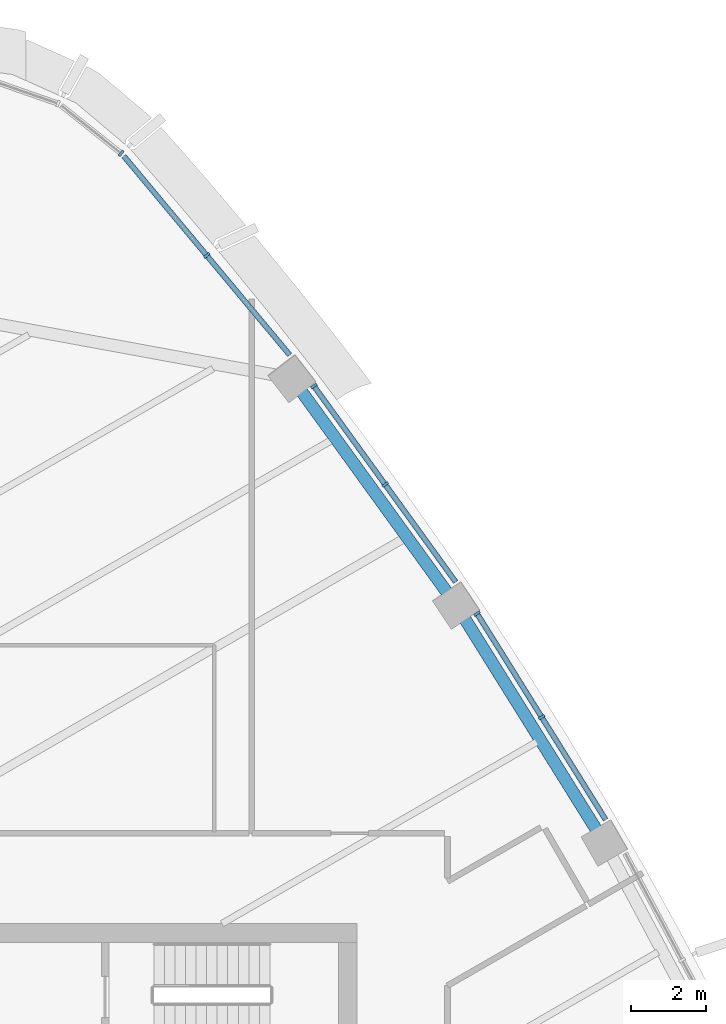
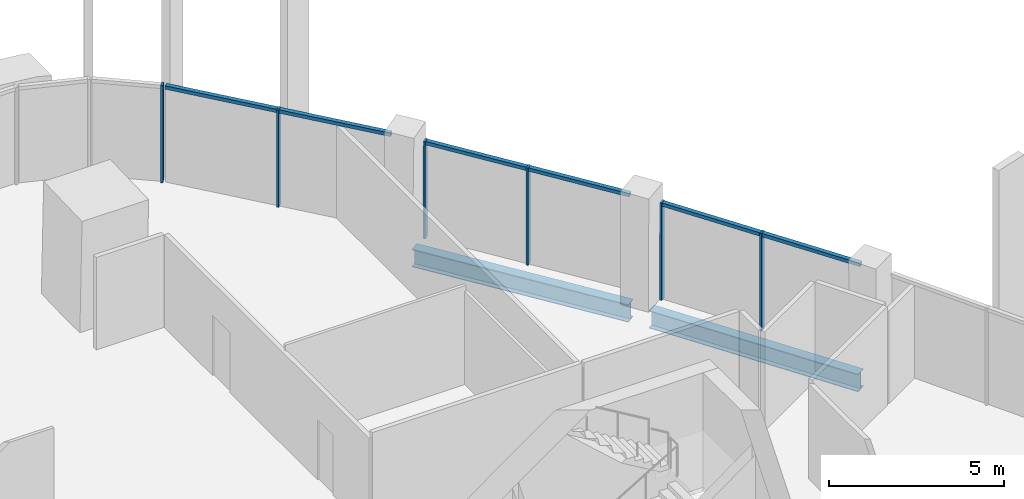
# One storey, part 6 of 18: 12 members, 2 beams, 4 elements without a shape of their own.
"""IFC4 building model written with IfcOpenShell, lengths in metres."""

from ifc_helpers import new_model, si_unit, direction, frame, origin, origin_2d, place, context, subcontext, project, spatial, rectangle, i_section, extrude, material, layer, layer_set, material_profile, profile_set, type_object, element, aggregate, save


model = new_model("IFC4")

# Units and contexts
model_context = context("Model", 3, precision=1e-05, world=origin(), true_north=direction((0.0, 1.0)))
body_context = subcontext(model_context, "Body", "Model", "MODEL_VIEW")
ifc_project = project(units=[si_unit("LENGTHUNIT", "METRE"), si_unit("AREAUNIT", "SQUARE_METRE"), si_unit("VOLUMEUNIT", "CUBIC_METRE"), si_unit("PLANEANGLEUNIT", "RADIAN"), si_unit("MASSUNIT", "GRAM", prefix="KILO")], contexts=[model_context])

# Site, building, storey
site_placement = place(None, origin())
site = spatial("IfcSite", under=ifc_project, at=site_placement, CompositionType="ELEMENT")
building_placement = place(site_placement, origin())
building = spatial("IfcBuilding", under=site, at=building_placement, Name="Sierra Prisma Convention Tower", CompositionType="ELEMENT")
storey_placement = place(building_placement, frame((0.0, 0.0, 279.0)))
storey = spatial("IfcBuildingStorey", under=building, at=storey_placement, Name="L63", CompositionType="ELEMENT", Elevation=279.0)

# Curtain wall, members
ifc_material_1 = material(Name="Aluminium and glass curtain wall", Category="aluminium")
ifc_layer = layer(ifc_material_1, 0.179931640625)
ifc_layer_set = layer_set([ifc_layer], Name="CW-1 Plain shaft curtain wall")
curtain_wall_type = type_object("IfcCurtainWallType", Name="CW-1 Plain shaft curtain wall", PredefinedType="NOTDEFINED", material=ifc_layer_set)
curtain_wall_1_placement = place(storey_placement, origin())
curtain_wall_1 = element("IfcCurtainWall", 1, at=curtain_wall_1_placement, inside=storey, type_object=curtain_wall_type, Name="CW-1 NE4 L63", PredefinedType="NOTDEFINED")
ifc_material_2 = material(Name="Aluminium 6063-T6 bronze anodised", Category="aluminium")
ifc_material_profile_1 = material_profile(ifc_material_2, rectangle(XDim=0.179931640625, YDim=0.070068359375, at=origin_2d()), Name="ALU MULLION 70x180")
ifc_profile_set_1 = profile_set([ifc_material_profile_1], Name="Aluminium 6063-T6 bronze anodised")
member_type_1 = type_object("IfcMemberType", Name="CW mullion bronze", PredefinedType="MULLION", material=ifc_profile_set_1)
member_1_placement = place(storey_placement, frame((15.90380859375, 13.486328125, 0.0), z_axis=(0.0, 0.0, 1.0), x_axis=(-0.848343476665, -0.529446263184, 0.0)))
member_1 = element("IfcMember", 2, at=member_1_placement, type_object=member_type_1, Name="CW-1 mullion NE4.2", PredefinedType="MULLION", context=body_context, shape_type="SweptSolid", body=[
    extrude(rectangle(XDim=0.179931640625, YDim=0.070068359375, at=origin_2d()), origin(), (0.0, 0.0, 1.0), 3.39990234375),
])
member_2_placement = place(storey_placement, frame((14.185791015625, 16.239013671875, 0.0), z_axis=(0.0, 0.0, 1.0), x_axis=(-0.848343476665, -0.529446263184, 0.0)))
member_2 = element("IfcMember", 3, at=member_2_placement, type_object=member_type_1, Name="CW-1 mullion NE4.3", PredefinedType="MULLION", context=body_context, shape_type="SweptSolid", body=[
    extrude(rectangle(XDim=0.179931640625, YDim=0.070068359375, at=origin_2d()), origin(), (0.0, 0.0, 1.0), 3.39990234375),
])

curtain_wall_2_placement = place(storey_placement, origin())
curtain_wall_2 = element("IfcCurtainWall", 4, at=curtain_wall_2_placement, inside=storey, type_object=curtain_wall_type, Name="CW-1 NE5 L63", PredefinedType="NOTDEFINED")
member_3_placement = place(storey_placement, frame((11.744140625, 19.669677734375, 0.0), z_axis=(0.0, 0.0, 1.0), x_axis=(-0.8099992068, -0.586430972053, 0.0)))
member_3 = element("IfcMember", 5, at=member_3_placement, type_object=member_type_1, Name="CW-1 mullion NE5.2", PredefinedType="MULLION", context=body_context, shape_type="SweptSolid", body=[
    extrude(rectangle(XDim=0.179931640625, YDim=0.070068359375, at=origin_2d()), origin(), (0.0, 0.0, 1.0), 3.39990234375),
])
member_4_placement = place(storey_placement, frame((9.85009765625, 22.28564453125, 0.0), z_axis=(0.0, 0.0, 1.0), x_axis=(-0.8099992068, -0.586430972053, 0.0)))
member_4 = element("IfcMember", 6, at=member_4_placement, type_object=member_type_1, Name="CW-1 mullion NE5.3", PredefinedType="MULLION", context=body_context, shape_type="SweptSolid", body=[
    extrude(rectangle(XDim=0.179931640625, YDim=0.070068359375, at=origin_2d()), origin(), (0.0, 0.0, 1.0), 3.39990234375),
])

# Curtain wall, member
curtain_wall_3_placement = place(storey_placement, origin())
curtain_wall_3 = element("IfcCurtainWall", 7, at=curtain_wall_3_placement, inside=storey, type_object=curtain_wall_type, Name="CW-1 NE6 L63", PredefinedType="NOTDEFINED")
member_5_placement = place(storey_placement, frame((7.003662109375, 25.75390625, 0.0), z_axis=(0.0, 0.0, 1.0), x_axis=(-0.767833733204, -0.640649169323, 0.0)))
member_5 = element("IfcMember", 8, at=member_5_placement, type_object=member_type_1, Name="CW-1 mullion NE6.2", PredefinedType="MULLION", context=body_context, shape_type="SweptSolid", body=[
    extrude(rectangle(XDim=0.179931640625, YDim=0.070068359375, at=origin_2d()), origin(), (0.0, 0.0, 1.0), 3.39990234375),
])

curtain_wall_4_placement = place(storey_placement, origin())
curtain_wall_4 = element("IfcCurtainWall", 9, at=curtain_wall_4_placement, inside=storey, type_object=curtain_wall_type, Name="CW-1 N1 L63", PredefinedType="NOTDEFINED")
member_6_placement = place(storey_placement, frame((4.72705078125, 28.471435546875, 0.0), z_axis=(0.0, 0.0, 1.0), x_axis=(-0.623243301141, -0.782027996675, 0.0)))
member_6 = element("IfcMember", 10, at=member_6_placement, type_object=member_type_1, Name="CW-1 mullion N1.1", PredefinedType="MULLION", context=body_context, shape_type="SweptSolid", body=[
    extrude(rectangle(XDim=0.179931640625, YDim=0.070068359375, at=origin_2d()), origin(), (0.0, 0.0, 1.0), 3.39990234375),
])
aggregate(curtain_wall_4, [member_6])

# Member
ifc_material_3 = material(Name="Aluminium 6063-T6 bronze anodised", Category="aluminium")
ifc_material_profile_2 = material_profile(ifc_material_3, rectangle(XDim=0.139892578125, YDim=0.1201171875, at=origin_2d()), Name="ALU TRANSOM 120x140")
ifc_profile_set_2 = profile_set([ifc_material_profile_2], Name="Aluminium 6063-T6 bronze anodised")
member_type_2 = type_object("IfcMemberType", Name="CW transom bronze", PredefinedType="USERDEFINED", material=ifc_profile_set_2)
member_7_placement = place(storey_placement, frame((17.603271484375, 10.76318359375, 3.340087890625), z_axis=(-0.529466651038, 0.848330752383, 0.0), x_axis=(-0.848330752383, -0.529466651038, 0.0)))
member_7 = element("IfcMember", 11, at=member_7_placement, type_object=member_type_2, Name="CW-1 transom NE4.1", ObjectType="TRANSOM", PredefinedType="USERDEFINED", context=body_context, shape_type="SweptSolid", body=[
    extrude(rectangle(XDim=0.139892578125, YDim=0.1201171875, at=origin_2d()), origin(), (0.0, 0.0, 1.0), 3.17529296875),
])

member_8_placement = place(storey_placement, frame((15.88525390625, 13.51611328125, 3.340087890625), z_axis=(-0.529445849677, 0.848343734733, 0.0), x_axis=(-0.848343734733, -0.529445849677, 0.0)))
member_8 = element("IfcMember", 12, at=member_8_placement, type_object=member_type_2, Name="CW-1 transom NE4.2", ObjectType="TRANSOM", PredefinedType="USERDEFINED", context=body_context, shape_type="SweptSolid", body=[
    extrude(rectangle(XDim=0.139892578125, YDim=0.1201171875, at=origin_2d()), origin(), (0.0, 0.0, 1.0), 3.1748046875),
])

aggregate(curtain_wall_1, [member_1, member_2, member_7, member_8])

member_9_placement = place(storey_placement, frame((13.61767578125, 17.081787109375, 3.340087890625), z_axis=(-0.586452132065, 0.809983886751, 0.0), x_axis=(-0.809983886751, -0.586452132065, 0.0)))
member_9 = element("IfcMember", 13, at=member_9_placement, type_object=member_type_2, Name="CW-1 transom NE5.1", ObjectType="TRANSOM", PredefinedType="USERDEFINED", context=body_context, shape_type="SweptSolid", body=[
    extrude(rectangle(XDim=0.139892578125, YDim=0.1201171875, at=origin_2d()), origin(), (0.0, 0.0, 1.0), 3.15966796875),
])

member_10_placement = place(storey_placement, frame((11.7236328125, 19.697998046875, 3.340087890625), z_axis=(-0.586452132065, 0.809983886751, 0.0), x_axis=(-0.809983886751, -0.586452132065, 0.0)))
member_10 = element("IfcMember", 14, at=member_10_placement, type_object=member_type_2, Name="CW-1 transom NE5.2", ObjectType="TRANSOM", PredefinedType="USERDEFINED", context=body_context, shape_type="SweptSolid", body=[
    extrude(rectangle(XDim=0.139892578125, YDim=0.1201171875, at=origin_2d()), origin(), (0.0, 0.0, 1.0), 3.15966796875),
])

aggregate(curtain_wall_2, [member_3, member_4, member_9, member_10])

member_11_placement = place(storey_placement, frame((9.2080078125, 23.11181640625, 3.340087890625), z_axis=(-0.640656700309, 0.767827449593, 0.0), x_axis=(-0.767827449593, -0.640656700309, 0.0)))
member_11 = element("IfcMember", 15, at=member_11_placement, type_object=member_type_2, Name="CW-1 transom NE6.1", ObjectType="TRANSOM", PredefinedType="USERDEFINED", context=body_context, shape_type="SweptSolid", body=[
    extrude(rectangle(XDim=0.139892578125, YDim=0.1201171875, at=origin_2d()), origin(), (0.0, 0.0, 1.0), 3.40576171875),
])

member_12_placement = place(storey_placement, frame((6.981201171875, 25.78076171875, 3.340087890625), z_axis=(-0.640656700309, 0.767827449593, 0.0), x_axis=(-0.767827449593, -0.640656700309, 0.0)))
member_12 = element("IfcMember", 16, at=member_12_placement, type_object=member_type_2, Name="CW-1 transom NE6.2", ObjectType="TRANSOM", PredefinedType="USERDEFINED", context=body_context, shape_type="SweptSolid", body=[
    extrude(rectangle(XDim=0.139892578125, YDim=0.1201171875, at=origin_2d()), origin(), (0.0, 0.0, 1.0), 3.40576171875),
])

aggregate(curtain_wall_3, [member_5, member_11, member_12])

# Beams
ifc_material_4 = material(Name="Steel ASTM A992 Gr 50", Category="steel")
ifc_material_profile_3 = material_profile(ifc_material_4, i_section(OverallWidth=0.324951171875, OverallDepth=0.615966796875, WebThickness=0.013916015625, FlangeThickness=0.021484375, at=origin_2d()), Name="W610x174")
ifc_profile_set_3 = profile_set([ifc_material_profile_3], Name="Steel ASTM A992 Gr 50")
beam_type = type_object("IfcBeamType", Name="Spandrel beam W610x174", PredefinedType="BEAM", material=ifc_profile_set_3)
for number, where, z_axis, x_axis, name in (
    (17, (17.400634765625, 10.42724609375, -0.4580078125), (-0.529455630308, 0.848337630626, 0.0), (-0.848337630626, -0.529455630308, 0.0), "Spandrel L63-10"),
    (18, (13.438720703125, 16.732666015625, -0.4580078125), (-0.586435763244, 0.809995738007, 0.0), (-0.809995738007, -0.586435763244, 0.0), "Spandrel L63-11"),
):
    element("IfcBeam", number, at=place(storey_placement, frame(where, z_axis=z_axis, x_axis=x_axis)), inside=storey, type_object=beam_type, Name=name, PredefinedType="BEAM", context=body_context, shape_type="SweptSolid", body=[
        extrude(i_section(OverallWidth=0.324951171875, OverallDepth=0.615966796875, WebThickness=0.013916015625, FlangeThickness=0.021484375, at=origin_2d()), origin(), (0.0, 0.0, 1.0), 6.787109375),
    ])

save(model, "model.ifc")
